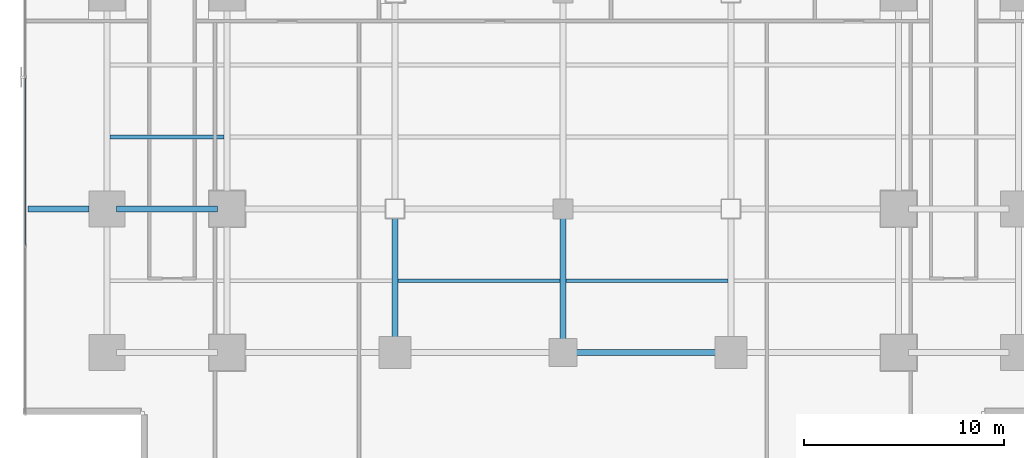
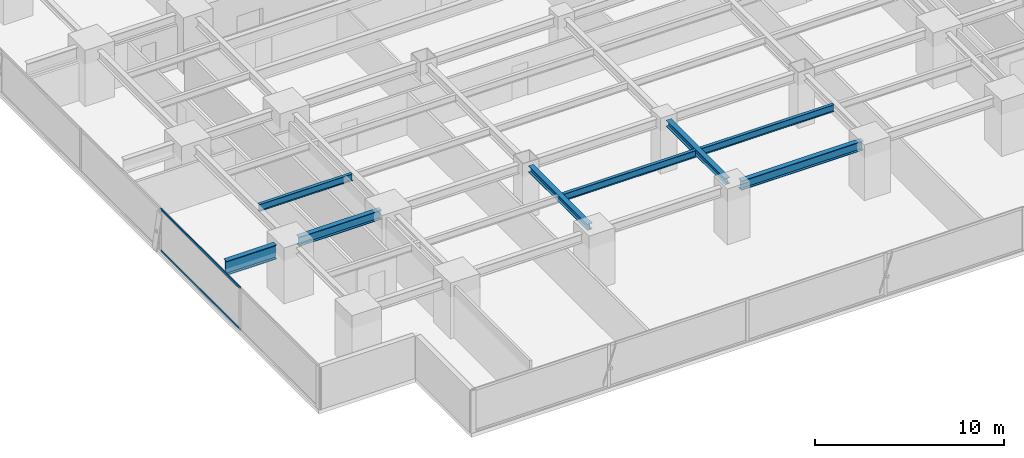
# One storey, part 6 of 32: 8 beams, 2 members, 1 element without a shape of its own.
"""IFC4 building model written with IfcOpenShell, lengths in metres."""

from ifc_helpers import new_model, si_unit, direction, frame, origin, origin_2d, place, context, subcontext, project, spatial, hollow_rectangle, i_section, extrude, source, transform, mapped, material, layer, layer_set, material_profile, profile_set, type_object, element, aggregate, save


model = new_model("IFC4")

# Units and contexts
model_context = context("Model", 3, precision=1e-05, world=origin(), true_north=direction((0.0, 1.0)))
body_context = subcontext(model_context, "Body", "Model", "MODEL_VIEW")
ifc_project = project(units=[si_unit("LENGTHUNIT", "METRE"), si_unit("AREAUNIT", "SQUARE_METRE"), si_unit("VOLUMEUNIT", "CUBIC_METRE"), si_unit("PLANEANGLEUNIT", "RADIAN"), si_unit("MASSUNIT", "GRAM", prefix="KILO")], contexts=[model_context])

# Site, building, storey
site_placement = place(None, origin())
site = spatial("IfcSite", under=ifc_project, at=site_placement, CompositionType="ELEMENT")
building_placement = place(site_placement, origin())
building = spatial("IfcBuilding", under=site, at=building_placement, Name="Sumidabori Civic Tower", CompositionType="ELEMENT")
storey_placement = place(building_placement, frame((0.0, 0.0, 45.199951171875)))
storey = spatial("IfcBuildingStorey", under=building, at=storey_placement, Name="L11", CompositionType="ELEMENT", Elevation=45.199951171875)

# Beams
ifc_material_1 = material(Name="Steel SN490", Category="steel")
ifc_material_profile_1 = material_profile(ifc_material_1, i_section(OverallWidth=0.300048828125, OverallDepth=0.60009765625, WebThickness=0.015380859375, FlangeThickness=0.030029296875, at=origin_2d()), Name="HE 600 B")
ifc_profile_set_1 = profile_set([ifc_material_profile_1], Name="Steel SN490")
beam_type_1 = type_object("IfcBeamType", Name="BM-GIRD-600", PredefinedType="BEAM", material=ifc_profile_set_1)
shared_shape_1 = source(origin(), body_context, "Body", "SweptSolid", [
    extrude(i_section(OverallWidth=0.300048828125, OverallDepth=0.60009765625, WebThickness=0.015380859375, FlangeThickness=0.030029296875, at=origin_2d()), origin(), (0.0, 0.0, 1.0), 5.0400390625),
])
beam_1_placement = place(storey_placement, frame((-22.320068359375, -10.800048828125, 3.06005859375), z_axis=(1.0, 0.0, 0.0), x_axis=(0.0, 1.0, 0.0)))
element("IfcBeam", 1, at=beam_1_placement, inside=storey, type_object=beam_type_1, Name="Primary Girder L11 GX-07", PredefinedType="BEAM", context=body_context, shape_type="MappedRepresentation", body=[
    mapped(shared_shape_1, transform((0.0, 0.0, 0.0), x_axis=(1.0, 0.0, 0.0), y_axis=(0.0, 1.0, 0.0), z_axis=(0.0, 0.0, 1.0), scale=1.0)),
])
shared_shape_2 = source(origin(), body_context, "Body", "SweptSolid", [
    extrude(i_section(OverallWidth=0.300048828125, OverallDepth=0.60009765625, WebThickness=0.015380859375, FlangeThickness=0.030029296875, at=origin_2d()), origin(), (0.0, 0.0, 1.0), 7.43994140625),
])
beam_2_placement = place(storey_placement, frame((0.47998046875, -18.0, 3.06005859375), z_axis=(1.0, 0.0, 0.0), x_axis=(0.0, 1.0, 0.0)))
element("IfcBeam", 2, at=beam_2_placement, inside=storey, type_object=beam_type_1, Name="Primary Girder L11 GX-04", PredefinedType="BEAM", context=body_context, shape_type="MappedRepresentation", body=[
    mapped(shared_shape_2, transform((0.0, 0.0, 0.0), x_axis=(1.0, 0.0, 0.0), y_axis=(0.0, 1.0, 0.0), z_axis=(0.0, 0.0, 1.0), scale=1.0)),
])
ifc_material_profile_2 = material_profile(ifc_material_1, i_section(OverallWidth=0.300048828125, OverallDepth=0.39990234375, WebThickness=0.013427734375, FlangeThickness=0.02392578125, at=origin_2d()), Name="HE 400 B")
ifc_profile_set_2 = profile_set([ifc_material_profile_2], Name="Steel SN490")
beam_type_2 = type_object("IfcBeamType", Name="BM-GIRD-400", PredefinedType="BEAM", material=ifc_profile_set_2)
shared_shape_3 = source(origin(), body_context, "Body", "SweptSolid", [
    extrude(i_section(OverallWidth=0.300048828125, OverallDepth=0.39990234375, WebThickness=0.013427734375, FlangeThickness=0.02392578125, at=origin_2d()), origin(), (0.0, 0.0, 1.0), 6.239990234375),
])
for number, where, z_axis, x_axis, name in (
    (3, (-8.39990234375, -17.52001953125, 3.16015625), (0.0, 1.0, 0.0), (-1.0, 0.0, 0.0), "Primary Girder L11 GY-29"),
    (4, (0.0, -17.52001953125, 3.16015625), (0.0, 1.0, 0.0), (-1.0, 0.0, 0.0), "Primary Girder L11 GY-31"),
):
    element("IfcBeam", number, at=place(storey_placement, frame(where, z_axis=z_axis, x_axis=x_axis)), inside=storey, type_object=beam_type_2, Name=name, PredefinedType="BEAM", context=body_context, shape_type="MappedRepresentation", body=[
        mapped(shared_shape_3, transform((0.0, 0.0, 0.0), x_axis=(1.0, 0.0, 0.0), y_axis=(0.0, 1.0, 0.0), z_axis=(0.0, 0.0, 1.0), scale=1.0)),
    ])
ifc_material_profile_3 = material_profile(ifc_material_1, i_section(OverallWidth=0.302001953125, OverallDepth=0.909912109375, WebThickness=0.02099609375, FlangeThickness=0.0400390625, at=origin_2d()), Name="HE 900 M")
ifc_profile_set_3 = profile_set([ifc_material_profile_3], Name="Steel SN490")
beam_type_3 = type_object("IfcBeamType", Name="BM-Z1-EDGE", PredefinedType="SPANDREL", material=ifc_profile_set_3)
shared_shape_4 = source(origin(), body_context, "Body", "SweptSolid", [
    extrude(i_section(OverallWidth=0.302001953125, OverallDepth=0.909912109375, WebThickness=0.02099609375, FlangeThickness=0.0400390625, at=origin_2d()), origin(), (0.0, 0.0, 1.0), 3.050048828125),
])
beam_3_placement = place(storey_placement, frame((-26.75, -10.800048828125, 2.905029296875), z_axis=(1.0, 0.0, 0.0), x_axis=(0.0, 1.0, 0.0)))
element("IfcBeam", 5, at=beam_3_placement, inside=storey, type_object=beam_type_3, Name="Perimeter Overhang Beam L11 W-44", PredefinedType="SPANDREL", context=body_context, shape_type="MappedRepresentation", body=[
    mapped(shared_shape_4, transform((0.0, 0.0, 0.0), x_axis=(1.0, 0.0, 0.0), y_axis=(0.0, 1.0, 0.0), z_axis=(0.0, 0.0, 1.0), scale=1.0)),
])
ifc_material_profile_4 = material_profile(ifc_material_1, i_section(OverallWidth=0.18994140625, OverallDepth=0.449951171875, WebThickness=0.009521484375, FlangeThickness=0.0146484375, at=origin_2d()), Name="IPE 450")
ifc_profile_set_4 = profile_set([ifc_material_profile_4], Name="Steel SN490")
beam_type_4 = type_object("IfcBeamType", Name="BM-JST-450", PredefinedType="JOIST", material=ifc_profile_set_4)
shared_shape_5 = source(origin(), body_context, "Body", "SweptSolid", [
    extrude(i_section(OverallWidth=0.18994140625, OverallDepth=0.449951171875, WebThickness=0.009521484375, FlangeThickness=0.0146484375, at=origin_2d()), origin(), (0.0, 0.0, 1.0), 5.699951171875),
])
beam_4_placement = place(storey_placement, frame((-22.64990234375, -7.199951171875, 3.135009765625), z_axis=(1.0, 0.0, 0.0), x_axis=(0.0, 1.0, 0.0)))
element("IfcBeam", 6, at=beam_4_placement, inside=storey, type_object=beam_type_4, Name="Outer Bay Floor Joist L11 JSTO-49", PredefinedType="JOIST", context=body_context, shape_type="MappedRepresentation", body=[
    mapped(shared_shape_5, transform((0.0, 0.0, 0.0), x_axis=(1.0, 0.0, 0.0), y_axis=(0.0, 1.0, 0.0), z_axis=(0.0, 0.0, 1.0), scale=1.0)),
])
shared_shape_6 = source(origin(), body_context, "Body", "SweptSolid", [
    extrude(i_section(OverallWidth=0.18994140625, OverallDepth=0.449951171875, WebThickness=0.009521484375, FlangeThickness=0.0146484375, at=origin_2d()), origin(), (0.0, 0.0, 1.0), 8.10009765625),
])
for number, where, z_axis, x_axis, name in (
    (7, (-8.25, -14.39990234375, 3.135009765625), (1.0, 0.0, 0.0), (0.0, 1.0, 0.0), "South Bay Floor Joist L11 JSTS-62"),
    (8, (0.14990234375, -14.39990234375, 3.135009765625), (1.0, 0.0, 0.0), (0.0, 1.0, 0.0), "South Bay Floor Joist L11 JSTS-63"),
):
    element("IfcBeam", number, at=place(storey_placement, frame(where, z_axis=z_axis, x_axis=x_axis)), inside=storey, type_object=beam_type_4, Name=name, PredefinedType="JOIST", context=body_context, shape_type="MappedRepresentation", body=[
        mapped(shared_shape_6, transform((0.0, 0.0, 0.0), x_axis=(1.0, 0.0, 0.0), y_axis=(0.0, 1.0, 0.0), z_axis=(0.0, 0.0, 1.0), scale=1.0)),
    ])

# Curtain wall, members
ifc_material_2 = material(Name="Anodised Bronze Aluminium AW-6063-T6", Category="aluminium")
ifc_layer = layer(ifc_material_2, 0.179931640625, Name="Anodised Bronze Aluminium AW-6063-T6")
ifc_layer_set = layer_set([ifc_layer], Name="Anodised Bronze Aluminium AW-6063-T6")
curtain_wall_type = type_object("IfcCurtainWallType", Name="CW-SYS-2", PredefinedType="NOTDEFINED", material=ifc_layer_set)
curtain_wall_placement = place(storey_placement, origin())
curtain_wall = element("IfcCurtainWall", 9, at=curtain_wall_placement, inside=storey, type_object=curtain_wall_type, Name="Curtain Wall CW:L11:R10", PredefinedType="NOTDEFINED")
ifc_material_profile_5 = material_profile(ifc_material_2, hollow_rectangle(XDim=0.06494140625, YDim=0.14990234375, WallThickness=0.0048828125, at=origin_2d()), Name="ALU TRANSOM 150x65")
ifc_profile_set_5 = profile_set([ifc_material_profile_5], Name="Anodised Bronze Aluminium AW-6063-T6")
member_type = type_object("IfcMemberType", Name="CW-TRN-150", PredefinedType="USERDEFINED", material=ifc_profile_set_5)
shared_shape_7 = source(origin(), body_context, "Body", "SweptSolid", [
    extrude(hollow_rectangle(XDim=0.06494140625, YDim=0.14990234375, WallThickness=0.0048828125, at=origin_2d()), origin(), (0.0, 0.0, 1.0), 8.35791015625),
])
member_1_placement = place(storey_placement, frame((-26.8798828125, -4.2490234375, 0.032470703125), z_axis=(0.0, -1.0, 0.0), x_axis=(1.0, 0.0, 0.0)))
member_1 = element("IfcMember", 10, at=member_1_placement, type_object=member_type, Name="CW-2 transom 4.1", ObjectType="TRANSOM", PredefinedType="USERDEFINED", context=body_context, shape_type="MappedRepresentation", body=[
    mapped(shared_shape_7, transform((0.0, 0.0, 0.0), x_axis=(1.0, 0.0, 0.0), y_axis=(0.0, 1.0, 0.0), z_axis=(0.0, 0.0, 1.0), scale=1.0)),
])
member_2_placement = place(storey_placement, frame((-26.8798828125, -4.2490234375, 2.70751953125), z_axis=(0.0, -1.0, 0.0), x_axis=(1.0, 0.0, 0.0)))
member_2 = element("IfcMember", 11, at=member_2_placement, type_object=member_type, Name="CW-2 transom 4.2", ObjectType="TRANSOM", PredefinedType="USERDEFINED", context=body_context, shape_type="MappedRepresentation", body=[
    mapped(shared_shape_7, transform((0.0, 0.0, 0.0), x_axis=(1.0, 0.0, 0.0), y_axis=(0.0, 1.0, 0.0), z_axis=(0.0, 0.0, 1.0), scale=1.0)),
])
aggregate(curtain_wall, [member_1, member_2])

save(model, "model.ifc")
